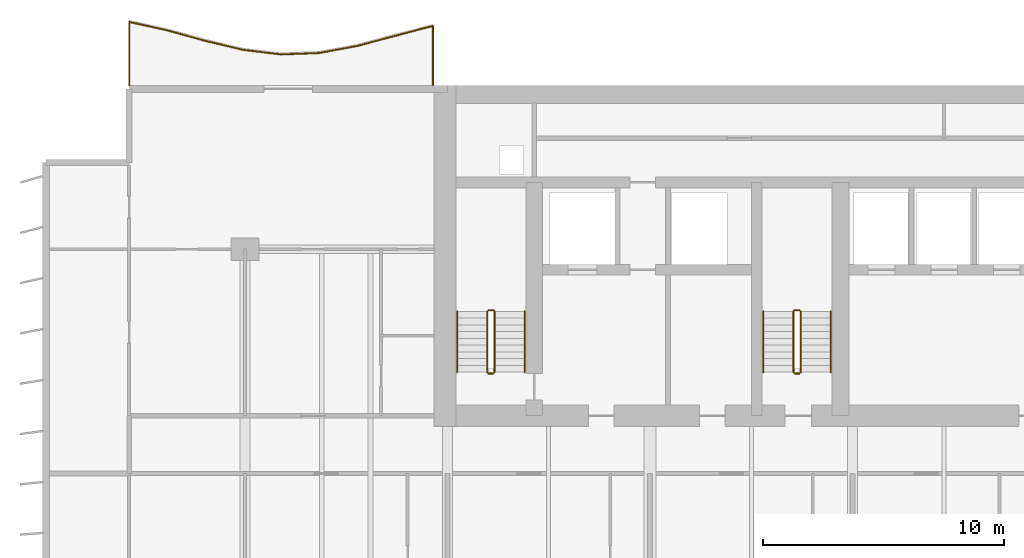
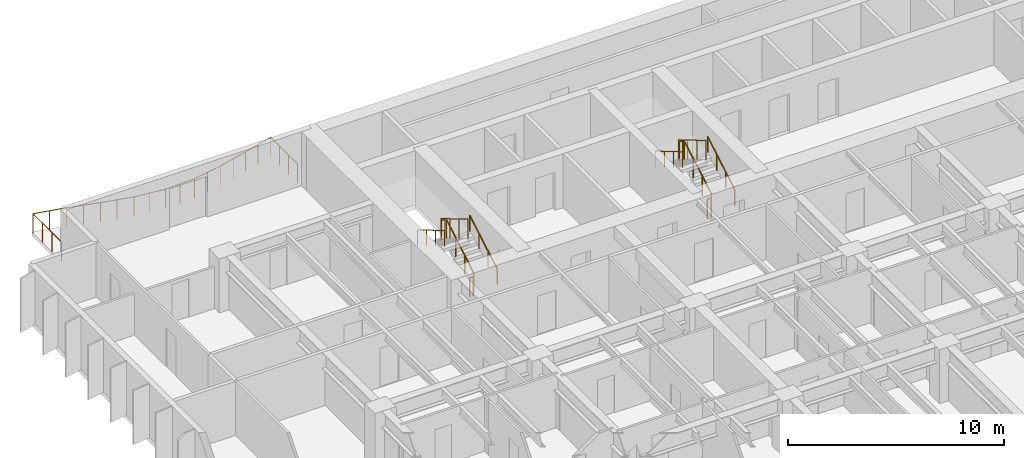
# One storey, part 15 of 17: 13 railings.
"""IFC4 building model written with IfcOpenShell, lengths in metres."""

from ifc_helpers import new_model, si_unit, direction, frame, origin, origin_2d, place, context, subcontext, project, spatial, circle, extrude, material, type_object, element, save


model = new_model("IFC4")

# Units and contexts
model_context = context("Model", 3, precision=1e-05, world=origin(), true_north=direction((0.0, 1.0)))
body_context = subcontext(model_context, "Body", "Model", "MODEL_VIEW")
ifc_project = project(units=[si_unit("LENGTHUNIT", "METRE"), si_unit("AREAUNIT", "SQUARE_METRE"), si_unit("VOLUMEUNIT", "CUBIC_METRE"), si_unit("PLANEANGLEUNIT", "RADIAN"), si_unit("MASSUNIT", "GRAM", prefix="KILO")], contexts=[model_context])

# Site, building, storey
site_placement = place(None, origin())
site = spatial("IfcSite", under=ifc_project, at=site_placement, CompositionType="ELEMENT")
building_placement = place(site_placement, origin())
building = spatial("IfcBuilding", under=site, at=building_placement, Name="Caelmar Bay Residences", CompositionType="ELEMENT")
storey_placement = place(building_placement, frame((0.0, 0.0, 33.300048828125)))
storey = spatial("IfcBuildingStorey", under=building, at=storey_placement, Name="L07", CompositionType="ELEMENT", Elevation=33.300048828125)

# Railings
ifc_material_1 = material(Name="Anodised bronze handrail with laminated hurricane glass infill", Category="glass")
railing_type_1 = type_object("IfcRailingType", Name="RL-BAL-1100", PredefinedType="BALUSTRADE", material=ifc_material_1)
railing_1_placement = place(storey_placement, frame((17.699951171875, 50.60009765625, 0.0)))
element("IfcRailing", 1, at=railing_1_placement, inside=storey, type_object=railing_type_1, Name="L07 north_west Balcony Balustrade", PredefinedType="BALUSTRADE", context=body_context, shape_type="SweptSolid", body=[
    extrude(circle(Radius=0.02392578125, at=origin_2d()), frame((0.0, 0.0, 1.076171875), z_axis=(0.0, 1.0, 0.0), x_axis=(-1.0, 0.0, 0.0)), (0.0, 0.0, 1.0), 2.460693359375),
    extrude(circle(Radius=0.02392578125, at=origin_2d()), frame((0.0, 2.460693359375, 1.076171875), z_axis=(-0.96753918199, -0.252721054356, 0.0), x_axis=(0.252721054356, -0.96753918199, 0.0)), (0.0, 0.0, 1.0), 1.627685546875),
    extrude(circle(Radius=0.02392578125, at=origin_2d()), frame((-1.574951171875, 2.04931640625, 1.076171875), z_axis=(-0.966020859721, -0.258464114692, 0.0), x_axis=(0.258464114692, -0.966020859721, 0.0)), (0.0, 0.0, 1.0), 1.63037109375),
    extrude(circle(Radius=0.02392578125, at=origin_2d()), frame((-3.14990234375, 1.6279296875, 1.076171875), z_axis=(-0.983570930926, -0.180522086842, 0.0), x_axis=(0.180522086842, -0.983570930926, 0.0)), (0.0, 0.0, 1.0), 1.601318359375),
    extrude(circle(Radius=0.02392578125, at=origin_2d()), frame((-4.724853515625, 1.3388671875, 1.076171875), z_axis=(-0.999279814953, -0.03794537425, 0.0), x_axis=(0.03794537425, -0.999279814953, 0.0)), (0.0, 0.0, 1.0), 1.576416015625),
    extrude(circle(Radius=0.02392578125, at=origin_2d()), frame((-6.300048828125, 1.279052734375, 1.076171875), z_axis=(-0.992787719874, 0.119885542363, 0.0), x_axis=(-0.119885542363, -0.992787719874, 0.0)), (0.0, 0.0, 1.0), 1.58642578125),
    extrude(circle(Radius=0.02392578125, at=origin_2d()), frame((-7.875, 1.46923828125, 1.076171875), z_axis=(-0.972736601003, 0.231912710021, 0.0), x_axis=(-0.231912710021, -0.972736601003, 0.0)), (0.0, 0.0, 1.0), 1.619140625),
    extrude(circle(Radius=0.02392578125, at=origin_2d()), frame((-9.449951171875, 1.8447265625, 1.076171875), z_axis=(-0.963938442099, 0.266125308538, 0.0), x_axis=(-0.266125308538, -0.963938442099, 0.0)), (0.0, 0.0, 1.0), 1.6337890625),
    extrude(circle(Radius=0.02392578125, at=origin_2d()), frame((-11.02490234375, 2.279541015625, 1.076171875), z_axis=(-0.976556074066, 0.215263174287, 0.0), x_axis=(-0.215263174287, -0.976556074066, 0.0)), (0.0, 0.0, 1.0), 1.61279296875),
    extrude(circle(Radius=0.02392578125, at=origin_2d()), frame((-12.599853515625, 2.626708984375, 1.076171875), z_axis=(0.0, -1.0, 0.0), x_axis=(1.0, 0.0, 0.0)), (0.0, 0.0, 1.0), 2.626708984375),
    extrude(circle(Radius=0.02099609375, at=origin_2d()), origin(), (0.0, 0.0, 1.0), 1.052001953125),
    extrude(circle(Radius=0.02099609375, at=origin_2d()), frame((0.0, 0.8203125, 0.0)), (0.0, 0.0, 1.0), 1.052001953125),
    extrude(circle(Radius=0.02099609375, at=origin_2d()), frame((0.0, 1.640380859375, 0.0)), (0.0, 0.0, 1.0), 1.052001953125),
    extrude(circle(Radius=0.02099609375, at=origin_2d()), frame((0.0, 2.460693359375, 0.0)), (0.0, 0.0, 1.0), 1.052001953125),
    extrude(circle(Radius=0.02099609375, at=origin_2d()), frame((-0.78759765625, 2.2548828125, 0.0)), (0.0, 0.0, 1.0), 1.052001953125),
    extrude(circle(Radius=0.02099609375, at=origin_2d()), frame((-1.574951171875, 2.04931640625, 0.0)), (0.0, 0.0, 1.0), 1.052001953125),
    extrude(circle(Radius=0.02099609375, at=origin_2d()), frame((-2.3623046875, 1.838623046875, 0.0)), (0.0, 0.0, 1.0), 1.052001953125),
    extrude(circle(Radius=0.02099609375, at=origin_2d()), frame((-3.14990234375, 1.6279296875, 0.0)), (0.0, 0.0, 1.0), 1.052001953125),
    extrude(circle(Radius=0.02099609375, at=origin_2d()), frame((-3.9375, 1.4833984375, 0.0)), (0.0, 0.0, 1.0), 1.052001953125),
    extrude(circle(Radius=0.02099609375, at=origin_2d()), frame((-4.724853515625, 1.3388671875, 0.0)), (0.0, 0.0, 1.0), 1.052001953125),
    extrude(circle(Radius=0.02099609375, at=origin_2d()), frame((-5.512451171875, 1.30908203125, 0.0)), (0.0, 0.0, 1.0), 1.052001953125),
    extrude(circle(Radius=0.02099609375, at=origin_2d()), frame((-6.300048828125, 1.279052734375, 0.0)), (0.0, 0.0, 1.0), 1.052001953125),
    extrude(circle(Radius=0.02099609375, at=origin_2d()), frame((-7.08740234375, 1.3740234375, 0.0)), (0.0, 0.0, 1.0), 1.052001953125),
    extrude(circle(Radius=0.02099609375, at=origin_2d()), frame((-7.875, 1.46923828125, 0.0)), (0.0, 0.0, 1.0), 1.052001953125),
    extrude(circle(Radius=0.02099609375, at=origin_2d()), frame((-8.66259765625, 1.656982421875, 0.0)), (0.0, 0.0, 1.0), 1.052001953125),
    extrude(circle(Radius=0.02099609375, at=origin_2d()), frame((-9.449951171875, 1.8447265625, 0.0)), (0.0, 0.0, 1.0), 1.052001953125),
    extrude(circle(Radius=0.02099609375, at=origin_2d()), frame((-10.2373046875, 2.06201171875, 0.0)), (0.0, 0.0, 1.0), 1.052001953125),
    extrude(circle(Radius=0.02099609375, at=origin_2d()), frame((-11.02490234375, 2.279541015625, 0.0)), (0.0, 0.0, 1.0), 1.052001953125),
    extrude(circle(Radius=0.02099609375, at=origin_2d()), frame((-11.8125, 2.453125, 0.0)), (0.0, 0.0, 1.0), 1.052001953125),
    extrude(circle(Radius=0.02099609375, at=origin_2d()), frame((-12.599853515625, 2.626708984375, 0.0)), (0.0, 0.0, 1.0), 1.052001953125),
    extrude(circle(Radius=0.02099609375, at=origin_2d()), frame((-12.599853515625, 1.751220703125, 0.0)), (0.0, 0.0, 1.0), 1.052001953125),
    extrude(circle(Radius=0.02099609375, at=origin_2d()), frame((-12.599853515625, 0.87548828125, 0.0)), (0.0, 0.0, 1.0), 1.052001953125),
    extrude(circle(Radius=0.02099609375, at=origin_2d()), frame((-12.599853515625, 0.0, 0.0)), (0.0, 0.0, 1.0), 1.052001953125),
])
ifc_material_2 = material(Name="Painted galvanized steel stair guard 1100 mm", Category="steel")
railing_type_2 = type_object("IfcRailingType", Name="RL-GRD-1100", PredefinedType="GUARDRAIL", material=ifc_material_2)
railing_2_placement = place(storey_placement, frame((20.25, 38.699951171875, 0.1650390625)))
element("IfcRailing", 2, at=railing_2_placement, inside=storey, type_object=railing_type_2, Name="L07 ST1 stair guard 1", PredefinedType="GUARDRAIL", context=body_context, shape_type="SweptSolid", body=[
    extrude(circle(Radius=0.02392578125, at=origin_2d()), frame((0.0, 0.0, 1.076171875), z_axis=(0.0, 0.861560626758, 0.507654692109), x_axis=(-1.0, 0.0, 0.0)), (0.0, 0.0, 1.0), 2.925048828125),
    extrude(circle(Radius=0.02099609375, at=origin_2d()), origin(), (0.0, 0.0, 1.0), 1.052001953125),
    extrude(circle(Radius=0.02099609375, at=origin_2d()), frame((0.0, 0.840087890625, 0.494873046875)), (0.0, 0.0, 1.0), 1.052001953125),
    extrude(circle(Radius=0.02099609375, at=origin_2d()), frame((0.0, 1.679931640625, 0.989990234375)), (0.0, 0.0, 1.0), 1.052001953125),
    extrude(circle(Radius=0.02099609375, at=origin_2d()), frame((0.0, 2.52001953125, 1.48486328125)), (0.0, 0.0, 1.0), 1.052001953125),
])
railing_3_placement = place(storey_placement, frame((20.199951171875, 41.27001953125, 1.64990234375)))
element("IfcRailing", 3, at=railing_3_placement, inside=storey, type_object=railing_type_2, Name="L07 ST1 stair guard 2", PredefinedType="GUARDRAIL", context=body_context, shape_type="SweptSolid", body=[
    extrude(circle(Radius=0.02392578125, at=origin_2d()), frame((0.0, 0.0, 1.076171875), z_axis=(-1.0, 0.0, 0.0), x_axis=(0.0, -1.0, 0.0)), (0.0, 0.0, 1.0), 0.199951171875),
    extrude(circle(Radius=0.02099609375, at=origin_2d()), origin(), (0.0, 0.0, 1.0), 1.052001953125),
    extrude(circle(Radius=0.02099609375, at=origin_2d()), frame((-0.199951171875, 0.0, 0.0)), (0.0, 0.0, 1.0), 1.052001953125),
])
railing_4_placement = place(storey_placement, frame((19.949951171875, 41.219970703125, 1.81494140625)))
element("IfcRailing", 4, at=railing_4_placement, inside=storey, type_object=railing_type_2, Name="L07 ST1 stair guard 3", PredefinedType="GUARDRAIL", context=body_context, shape_type="SweptSolid", body=[
    extrude(circle(Radius=0.02392578125, at=origin_2d()), frame((0.0, 0.0, 1.076171875), z_axis=(0.0, -0.86152411907, 0.507716645641), x_axis=(1.0, 0.0, 0.0)), (0.0, 0.0, 1.0), 2.925048828125),
    extrude(circle(Radius=0.02099609375, at=origin_2d()), origin(), (0.0, 0.0, 1.0), 1.052001953125),
    extrude(circle(Radius=0.02099609375, at=origin_2d()), frame((0.0, -0.840087890625, 0.4951171875)), (0.0, 0.0, 1.0), 1.052001953125),
    extrude(circle(Radius=0.02099609375, at=origin_2d()), frame((0.0, -1.679931640625, 0.989990234375)), (0.0, 0.0, 1.0), 1.052001953125),
    extrude(circle(Radius=0.02099609375, at=origin_2d()), frame((0.0, -2.52001953125, 1.485107421875)), (0.0, 0.0, 1.0), 1.052001953125),
])
railing_5_placement = place(storey_placement, frame((20.199951171875, 38.64990234375, 0.0)))
element("IfcRailing", 5, at=railing_5_placement, inside=storey, type_object=railing_type_2, Name="L07 ST1 stair guard 4", PredefinedType="GUARDRAIL", context=body_context, shape_type="SweptSolid", body=[
    extrude(circle(Radius=0.02392578125, at=origin_2d()), frame((0.0, 0.0, 1.076171875), z_axis=(-1.0, 0.0, 0.0), x_axis=(0.0, -1.0, 0.0)), (0.0, 0.0, 1.0), 0.199951171875),
    extrude(circle(Radius=0.02099609375, at=origin_2d()), origin(), (0.0, 0.0, 1.0), 1.052001953125),
    extrude(circle(Radius=0.02099609375, at=origin_2d()), frame((-0.199951171875, 0.0, 0.0)), (0.0, 0.0, 1.0), 1.052001953125),
])
railing_6_placement = place(storey_placement, frame((32.949951171875, 38.699951171875, 0.1650390625)))
element("IfcRailing", 6, at=railing_6_placement, inside=storey, type_object=railing_type_2, Name="L07 ST3 stair guard 1", PredefinedType="GUARDRAIL", context=body_context, shape_type="SweptSolid", body=[
    extrude(circle(Radius=0.02392578125, at=origin_2d()), frame((0.0, 0.0, 1.076171875), z_axis=(0.0, 0.861560626758, 0.507654692109), x_axis=(-1.0, 0.0, 0.0)), (0.0, 0.0, 1.0), 2.925048828125),
    extrude(circle(Radius=0.02099609375, at=origin_2d()), origin(), (0.0, 0.0, 1.0), 1.052001953125),
    extrude(circle(Radius=0.02099609375, at=origin_2d()), frame((0.0, 0.840087890625, 0.494873046875)), (0.0, 0.0, 1.0), 1.052001953125),
    extrude(circle(Radius=0.02099609375, at=origin_2d()), frame((0.0, 1.679931640625, 0.989990234375)), (0.0, 0.0, 1.0), 1.052001953125),
    extrude(circle(Radius=0.02099609375, at=origin_2d()), frame((0.0, 2.52001953125, 1.48486328125)), (0.0, 0.0, 1.0), 1.052001953125),
])
railing_7_placement = place(storey_placement, frame((32.89990234375, 41.27001953125, 1.64990234375)))
element("IfcRailing", 7, at=railing_7_placement, inside=storey, type_object=railing_type_2, Name="L07 ST3 stair guard 2", PredefinedType="GUARDRAIL", context=body_context, shape_type="SweptSolid", body=[
    extrude(circle(Radius=0.02392578125, at=origin_2d()), frame((0.0, 0.0, 1.076171875), z_axis=(-1.0, 0.0, 0.0), x_axis=(0.0, -1.0, 0.0)), (0.0, 0.0, 1.0), 0.199951171875),
    extrude(circle(Radius=0.02099609375, at=origin_2d()), origin(), (0.0, 0.0, 1.0), 1.052001953125),
    extrude(circle(Radius=0.02099609375, at=origin_2d()), frame((-0.199951171875, 0.0, 0.0)), (0.0, 0.0, 1.0), 1.052001953125),
])
railing_8_placement = place(storey_placement, frame((32.64990234375, 41.219970703125, 1.81494140625)))
element("IfcRailing", 8, at=railing_8_placement, inside=storey, type_object=railing_type_2, Name="L07 ST3 stair guard 3", PredefinedType="GUARDRAIL", context=body_context, shape_type="SweptSolid", body=[
    extrude(circle(Radius=0.02392578125, at=origin_2d()), frame((0.0, 0.0, 1.076171875), z_axis=(0.0, -0.86152411907, 0.507716645641), x_axis=(1.0, 0.0, 0.0)), (0.0, 0.0, 1.0), 2.925048828125),
    extrude(circle(Radius=0.02099609375, at=origin_2d()), origin(), (0.0, 0.0, 1.0), 1.052001953125),
    extrude(circle(Radius=0.02099609375, at=origin_2d()), frame((0.0, -0.840087890625, 0.4951171875)), (0.0, 0.0, 1.0), 1.052001953125),
    extrude(circle(Radius=0.02099609375, at=origin_2d()), frame((0.0, -1.679931640625, 0.989990234375)), (0.0, 0.0, 1.0), 1.052001953125),
    extrude(circle(Radius=0.02099609375, at=origin_2d()), frame((0.0, -2.52001953125, 1.485107421875)), (0.0, 0.0, 1.0), 1.052001953125),
])
railing_9_placement = place(storey_placement, frame((32.89990234375, 38.64990234375, 0.0)))
element("IfcRailing", 9, at=railing_9_placement, inside=storey, type_object=railing_type_2, Name="L07 ST3 stair guard 4", PredefinedType="GUARDRAIL", context=body_context, shape_type="SweptSolid", body=[
    extrude(circle(Radius=0.02392578125, at=origin_2d()), frame((0.0, 0.0, 1.076171875), z_axis=(-1.0, 0.0, 0.0), x_axis=(0.0, -1.0, 0.0)), (0.0, 0.0, 1.0), 0.199951171875),
    extrude(circle(Radius=0.02099609375, at=origin_2d()), origin(), (0.0, 0.0, 1.0), 1.052001953125),
    extrude(circle(Radius=0.02099609375, at=origin_2d()), frame((-0.199951171875, 0.0, 0.0)), (0.0, 0.0, 1.0), 1.052001953125),
])
ifc_material_3 = material(Name="Brushed bronze stainless-steel tubular handrail 900 mm", Category="steel")
railing_type_3 = type_object("IfcRailingType", Name="RL-HND-900", PredefinedType="HANDRAIL", material=ifc_material_3)
railing_10_placement = place(storey_placement, frame((21.5, 38.699951171875, 0.1650390625)))
element("IfcRailing", 10, at=railing_10_placement, inside=storey, type_object=railing_type_3, Name="L07 ST1 stair handrail 1", PredefinedType="HANDRAIL", context=body_context, shape_type="SweptSolid", body=[
    extrude(circle(Radius=0.02392578125, at=origin_2d()), frame((0.0, 0.0, 0.8759765625), z_axis=(0.0, 0.861560626758, 0.507654692109), x_axis=(-1.0, 0.0, 0.0)), (0.0, 0.0, 1.0), 2.925048828125),
    extrude(circle(Radius=0.02099609375, at=origin_2d()), origin(), (0.0, 0.0, 1.0), 0.851806640625),
    extrude(circle(Radius=0.02099609375, at=origin_2d()), frame((0.0, 0.840087890625, 0.494873046875)), (0.0, 0.0, 1.0), 0.851806640625),
    extrude(circle(Radius=0.02099609375, at=origin_2d()), frame((0.0, 1.679931640625, 0.989990234375)), (0.0, 0.0, 1.0), 0.851806640625),
    extrude(circle(Radius=0.02099609375, at=origin_2d()), frame((0.0, 2.52001953125, 1.48486328125)), (0.0, 0.0, 1.0), 0.851806640625),
])
railing_11_placement = place(storey_placement, frame((18.699951171875, 41.219970703125, 1.81494140625)))
element("IfcRailing", 11, at=railing_11_placement, inside=storey, type_object=railing_type_3, Name="L07 ST1 stair handrail 2", PredefinedType="HANDRAIL", context=body_context, shape_type="SweptSolid", body=[
    extrude(circle(Radius=0.02392578125, at=origin_2d()), frame((0.0, 0.0, 0.8759765625), z_axis=(0.0, -0.86152411907, 0.507716645641), x_axis=(1.0, 0.0, 0.0)), (0.0, 0.0, 1.0), 2.925048828125),
    extrude(circle(Radius=0.02099609375, at=origin_2d()), origin(), (0.0, 0.0, 1.0), 0.851806640625),
    extrude(circle(Radius=0.02099609375, at=origin_2d()), frame((0.0, -0.840087890625, 0.4951171875)), (0.0, 0.0, 1.0), 0.851806640625),
    extrude(circle(Radius=0.02099609375, at=origin_2d()), frame((0.0, -1.679931640625, 0.989990234375)), (0.0, 0.0, 1.0), 0.851806640625),
    extrude(circle(Radius=0.02099609375, at=origin_2d()), frame((0.0, -2.52001953125, 1.485107421875)), (0.0, 0.0, 1.0), 0.851806640625),
])
railing_12_placement = place(storey_placement, frame((34.199951171875, 38.699951171875, 0.1650390625)))
element("IfcRailing", 12, at=railing_12_placement, inside=storey, type_object=railing_type_3, Name="L07 ST3 stair handrail 1", PredefinedType="HANDRAIL", context=body_context, shape_type="SweptSolid", body=[
    extrude(circle(Radius=0.02392578125, at=origin_2d()), frame((0.0, 0.0, 0.8759765625), z_axis=(0.0, 0.861560626758, 0.507654692109), x_axis=(-1.0, 0.0, 0.0)), (0.0, 0.0, 1.0), 2.925048828125),
    extrude(circle(Radius=0.02099609375, at=origin_2d()), origin(), (0.0, 0.0, 1.0), 0.851806640625),
    extrude(circle(Radius=0.02099609375, at=origin_2d()), frame((0.0, 0.840087890625, 0.494873046875)), (0.0, 0.0, 1.0), 0.851806640625),
    extrude(circle(Radius=0.02099609375, at=origin_2d()), frame((0.0, 1.679931640625, 0.989990234375)), (0.0, 0.0, 1.0), 0.851806640625),
    extrude(circle(Radius=0.02099609375, at=origin_2d()), frame((0.0, 2.52001953125, 1.48486328125)), (0.0, 0.0, 1.0), 0.851806640625),
])
railing_13_placement = place(storey_placement, frame((31.39990234375, 41.219970703125, 1.81494140625)))
element("IfcRailing", 13, at=railing_13_placement, inside=storey, type_object=railing_type_3, Name="L07 ST3 stair handrail 2", PredefinedType="HANDRAIL", context=body_context, shape_type="SweptSolid", body=[
    extrude(circle(Radius=0.02392578125, at=origin_2d()), frame((0.0, 0.0, 0.8759765625), z_axis=(0.0, -0.86152411907, 0.507716645641), x_axis=(1.0, 0.0, 0.0)), (0.0, 0.0, 1.0), 2.925048828125),
    extrude(circle(Radius=0.02099609375, at=origin_2d()), origin(), (0.0, 0.0, 1.0), 0.851806640625),
    extrude(circle(Radius=0.02099609375, at=origin_2d()), frame((0.0, -0.840087890625, 0.4951171875)), (0.0, 0.0, 1.0), 0.851806640625),
    extrude(circle(Radius=0.02099609375, at=origin_2d()), frame((0.0, -1.679931640625, 0.989990234375)), (0.0, 0.0, 1.0), 0.851806640625),
    extrude(circle(Radius=0.02099609375, at=origin_2d()), frame((0.0, -2.52001953125, 1.485107421875)), (0.0, 0.0, 1.0), 0.851806640625),
])

save(model, "model.ifc")
